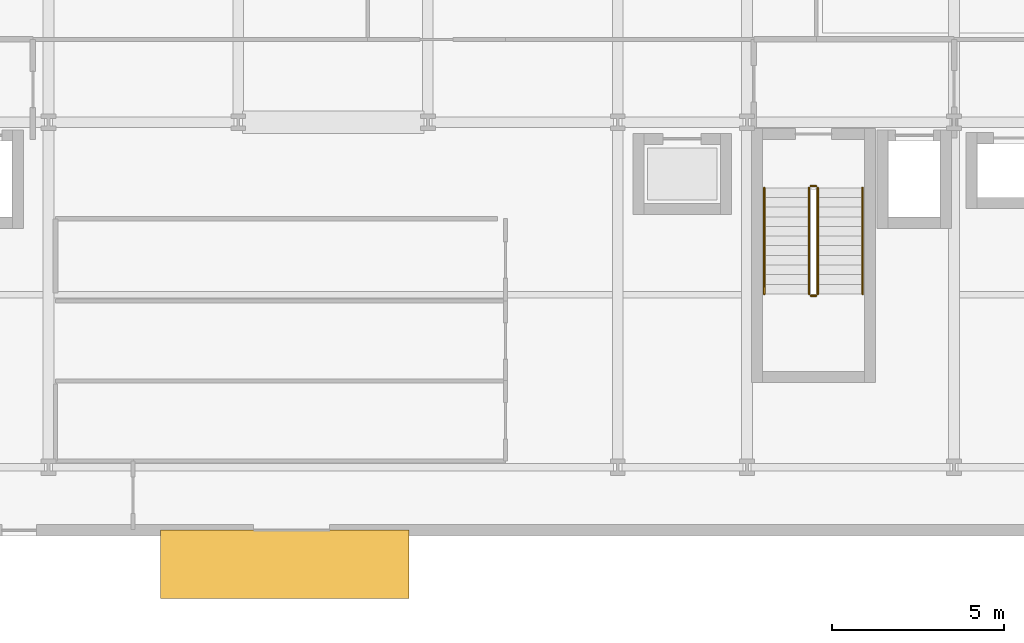
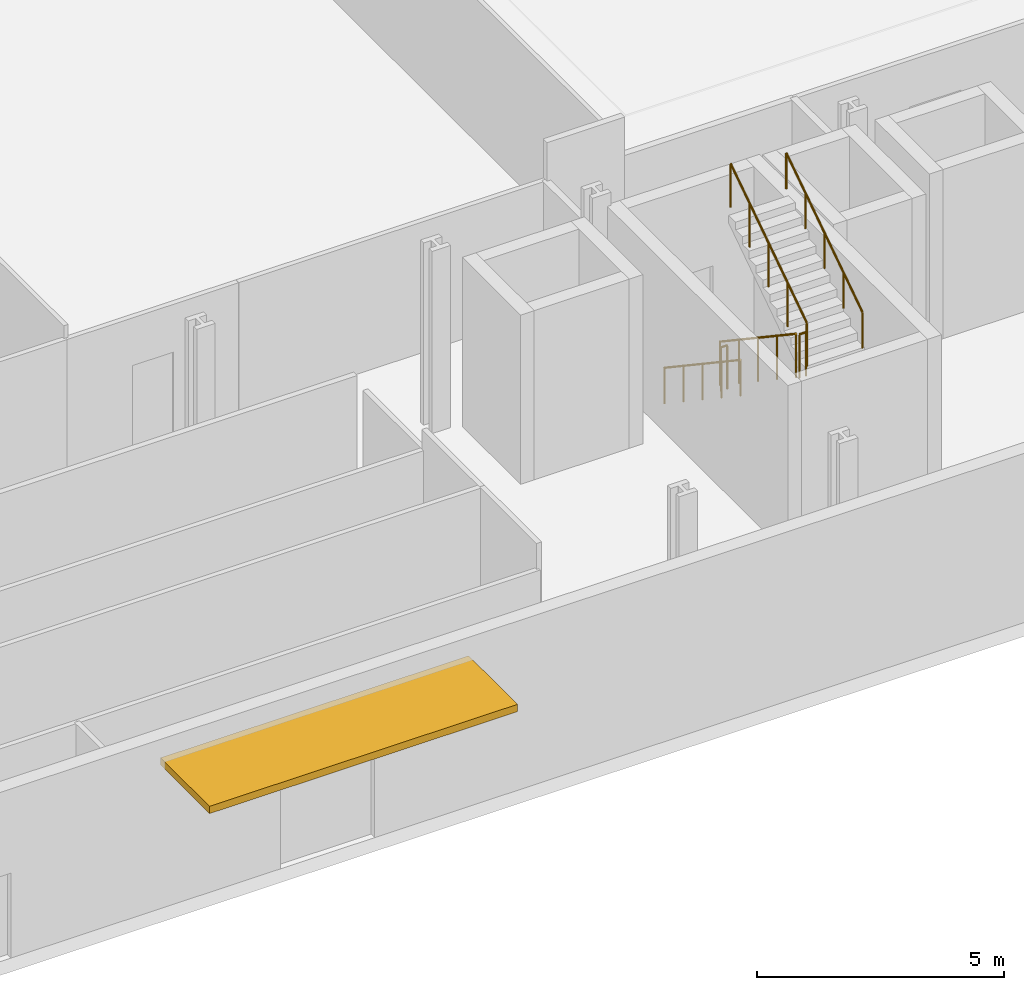
# One storey, part 24 of 28: 6 railings, 1 shading device.
"""IFC4 building model written with IfcOpenShell, lengths in metres."""

from ifc_helpers import new_model, si_unit, direction, frame, origin, origin_2d, place, context, subcontext, project, spatial, polyline, circle, outline, extrude, material, layer, layer_set, type_object, element, save


model = new_model("IFC4")

# Units and contexts
model_context = context("Model", 3, precision=1e-05, world=origin(), true_north=direction((0.0, 1.0)))
body_context = subcontext(model_context, "Body", "Model", "MODEL_VIEW")
ifc_project = project(units=[si_unit("LENGTHUNIT", "METRE"), si_unit("AREAUNIT", "SQUARE_METRE"), si_unit("VOLUMEUNIT", "CUBIC_METRE"), si_unit("PLANEANGLEUNIT", "RADIAN"), si_unit("MASSUNIT", "GRAM", prefix="KILO")], contexts=[model_context])

# Site, building, storey
site_placement = place(None, origin())
site = spatial("IfcSite", under=ifc_project, at=site_placement, CompositionType="ELEMENT")
building_placement = place(site_placement, origin())
building = spatial("IfcBuilding", under=site, at=building_placement, Name="Brevholm Reach", CompositionType="ELEMENT")
storey_placement = place(building_placement, origin())
storey = spatial("IfcBuildingStorey", under=building, at=storey_placement, Name="L00", CompositionType="ELEMENT", Elevation=0.0)

# Railings
ifc_material_1 = material(Name="Brushed Stainless Steel EN 1.4401 Continuous Handrail", Category="steel")
railing_type_1 = type_object("IfcRailingType", Name="RAL-HND-950", PredefinedType="HANDRAIL", material=ifc_material_1)
railing_1_placement = place(storey_placement, frame((42.5, 8.10009765625, 0.1875)))
element("IfcRailing", 1, at=railing_1_placement, inside=storey, type_object=railing_type_1, Name="L00 ST-2 stair handrail 1", PredefinedType="HANDRAIL", context=body_context, shape_type="SweptSolid", body=[
    extrude(circle(Radius=0.02392578125, at=origin_2d()), frame((0.0, 0.0, 0.8857421875), z_axis=(0.0, -0.830913701846, 0.55640131208), x_axis=(1.0, 0.0, 0.0)), (0.0, 0.0, 1.0), 3.706787109375),
    extrude(circle(Radius=0.02099609375, at=origin_2d()), origin(), (0.0, 0.0, 1.0), 0.86181640625),
    extrude(circle(Radius=0.02099609375, at=origin_2d()), frame((0.0, -0.77001953125, 0.515625)), (0.0, 0.0, 1.0), 0.86181640625),
    extrude(circle(Radius=0.02099609375, at=origin_2d()), frame((0.0, -1.5400390625, 1.03125)), (0.0, 0.0, 1.0), 0.86181640625),
    extrude(circle(Radius=0.02099609375, at=origin_2d()), frame((0.0, -2.31005859375, 1.546875)), (0.0, 0.0, 1.0), 0.86181640625),
    extrude(circle(Radius=0.02099609375, at=origin_2d()), frame((0.0, -3.080078125, 2.0625)), (0.0, 0.0, 1.0), 0.86181640625),
])
railing_2_placement = place(storey_placement, frame((45.35009765625, 5.02001953125, 2.4375)))
element("IfcRailing", 2, at=railing_2_placement, inside=storey, type_object=railing_type_1, Name="L00 ST-2 stair handrail 2", PredefinedType="HANDRAIL", context=body_context, shape_type="SweptSolid", body=[
    extrude(circle(Radius=0.02392578125, at=origin_2d()), frame((0.0, 0.0, 0.8857421875), z_axis=(0.0, 0.830913701846, 0.55640131208), x_axis=(-1.0, 0.0, 0.0)), (0.0, 0.0, 1.0), 3.706787109375),
    extrude(circle(Radius=0.02099609375, at=origin_2d()), origin(), (0.0, 0.0, 1.0), 0.86181640625),
    extrude(circle(Radius=0.02099609375, at=origin_2d()), frame((0.0, 0.77001953125, 0.515625)), (0.0, 0.0, 1.0), 0.86181640625),
    extrude(circle(Radius=0.02099609375, at=origin_2d()), frame((0.0, 1.5400390625, 1.03125)), (0.0, 0.0, 1.0), 0.86181640625),
    extrude(circle(Radius=0.02099609375, at=origin_2d()), frame((0.0, 2.31005859375, 1.546875)), (0.0, 0.0, 1.0), 0.86181640625),
    extrude(circle(Radius=0.02099609375, at=origin_2d()), frame((0.0, 3.080078125, 2.0625)), (0.0, 0.0, 1.0), 0.86181640625),
])
ifc_material_2 = material(Name="Painted Tubular Galvanised Steel S275JR Stair Guard", Category="steel")
railing_type_2 = type_object("IfcRailingType", Name="RAL-STG-1120", PredefinedType="BALUSTRADE", material=ifc_material_2)
railing_3_placement = place(storey_placement, frame((43.800048828125, 8.10009765625, 0.1875)))
element("IfcRailing", 3, at=railing_3_placement, inside=storey, type_object=railing_type_2, Name="L00 ST-2 stair guard 1", PredefinedType="BALUSTRADE", context=body_context, shape_type="SweptSolid", body=[
    extrude(circle(Radius=0.02392578125, at=origin_2d()), frame((0.0, 0.0, 1.076171875), z_axis=(0.0, -0.830913701846, 0.55640131208), x_axis=(1.0, 0.0, 0.0)), (0.0, 0.0, 1.0), 3.706787109375),
    extrude(circle(Radius=0.02099609375, at=origin_2d()), origin(), (0.0, 0.0, 1.0), 1.052001953125),
    extrude(circle(Radius=0.02099609375, at=origin_2d()), frame((0.0, -0.77001953125, 0.515625)), (0.0, 0.0, 1.0), 1.052001953125),
    extrude(circle(Radius=0.02099609375, at=origin_2d()), frame((0.0, -1.5400390625, 1.03125)), (0.0, 0.0, 1.0), 1.052001953125),
    extrude(circle(Radius=0.02099609375, at=origin_2d()), frame((0.0, -2.31005859375, 1.546875)), (0.0, 0.0, 1.0), 1.052001953125),
    extrude(circle(Radius=0.02099609375, at=origin_2d()), frame((0.0, -3.080078125, 2.0625)), (0.0, 0.0, 1.0), 1.052001953125),
])
railing_4_placement = place(storey_placement, frame((43.85009765625, 4.969970703125, 2.25)))
element("IfcRailing", 4, at=railing_4_placement, inside=storey, type_object=railing_type_2, Name="L00 ST-2 stair guard 2", PredefinedType="BALUSTRADE", context=body_context, shape_type="SweptSolid", body=[
    extrude(circle(Radius=0.02392578125, at=origin_2d()), frame((0.0, 0.0, 1.076171875), z_axis=(1.0, 0.0, 0.0), x_axis=(0.0, 1.0, 0.0)), (0.0, 0.0, 1.0), 0.14990234375),
    extrude(circle(Radius=0.02099609375, at=origin_2d()), origin(), (0.0, 0.0, 1.0), 1.052001953125),
    extrude(circle(Radius=0.02099609375, at=origin_2d()), frame((0.14990234375, 0.0, 0.0)), (0.0, 0.0, 1.0), 1.052001953125),
])
railing_5_placement = place(storey_placement, frame((44.050048828125, 5.02001953125, 2.4375)))
element("IfcRailing", 5, at=railing_5_placement, inside=storey, type_object=railing_type_2, Name="L00 ST-2 stair guard 3", PredefinedType="BALUSTRADE", context=body_context, shape_type="SweptSolid", body=[
    extrude(circle(Radius=0.02392578125, at=origin_2d()), frame((0.0, 0.0, 1.076171875), z_axis=(0.0, 0.830913701846, 0.55640131208), x_axis=(-1.0, 0.0, 0.0)), (0.0, 0.0, 1.0), 3.706787109375),
    extrude(circle(Radius=0.02099609375, at=origin_2d()), origin(), (0.0, 0.0, 1.0), 1.052001953125),
    extrude(circle(Radius=0.02099609375, at=origin_2d()), frame((0.0, 0.77001953125, 0.515625)), (0.0, 0.0, 1.0), 1.052001953125),
    extrude(circle(Radius=0.02099609375, at=origin_2d()), frame((0.0, 1.5400390625, 1.03125)), (0.0, 0.0, 1.0), 1.052001953125),
    extrude(circle(Radius=0.02099609375, at=origin_2d()), frame((0.0, 2.31005859375, 1.546875)), (0.0, 0.0, 1.0), 1.052001953125),
    extrude(circle(Radius=0.02099609375, at=origin_2d()), frame((0.0, 3.080078125, 2.0625)), (0.0, 0.0, 1.0), 1.052001953125),
])
railing_6_placement = place(storey_placement, frame((43.85009765625, 8.14990234375, 0.0)))
element("IfcRailing", 6, at=railing_6_placement, inside=storey, type_object=railing_type_2, Name="L00 ST-2 stair guard 4", PredefinedType="BALUSTRADE", context=body_context, shape_type="SweptSolid", body=[
    extrude(circle(Radius=0.02392578125, at=origin_2d()), frame((0.0, 0.0, 1.076171875), z_axis=(1.0, 0.0, 0.0), x_axis=(0.0, 1.0, 0.0)), (0.0, 0.0, 1.0), 0.14990234375),
    extrude(circle(Radius=0.02099609375, at=origin_2d()), origin(), (0.0, 0.0, 1.0), 1.052001953125),
    extrude(circle(Radius=0.02099609375, at=origin_2d()), frame((0.14990234375, 0.0, 0.0)), (0.0, 0.0, 1.0), 1.052001953125),
])

# Shading device
ifc_material_3 = material(Name="Champagne-Bronze Anodised Aluminium and Laminated Glass", Category="aluminium")
ifc_layer = layer(ifc_material_3, 0.179931640625)
ifc_layer_set = layer_set([ifc_layer], Name="Champagne-Bronze Anodised Aluminium and Laminated Glass")
shading_device_type = type_object("IfcShadingDeviceType", Name="SHD-CAN-200", PredefinedType="AWNING", material=ifc_layer_set)
shading_device_placement = place(storey_placement, frame((0.0, 0.0, 3.39990234375)))
element("IfcShadingDevice", 7, at=shading_device_placement, inside=storey, type_object=shading_device_type, Name="L00 South Residential Entrance Canopy", PredefinedType="AWNING", context=body_context, shape_type="SweptSolid", body=[
    extrude(outline(polyline([(25.0, -3.800048828125), (32.199951171875, -3.800048828125), (32.199951171875, -1.820068359375), (25.0, -1.820068359375), (25.0, -3.800048828125)])), origin(), (0.0, 0.0, 1.0), 0.18017578125),
])

save(model, "model.ifc")
